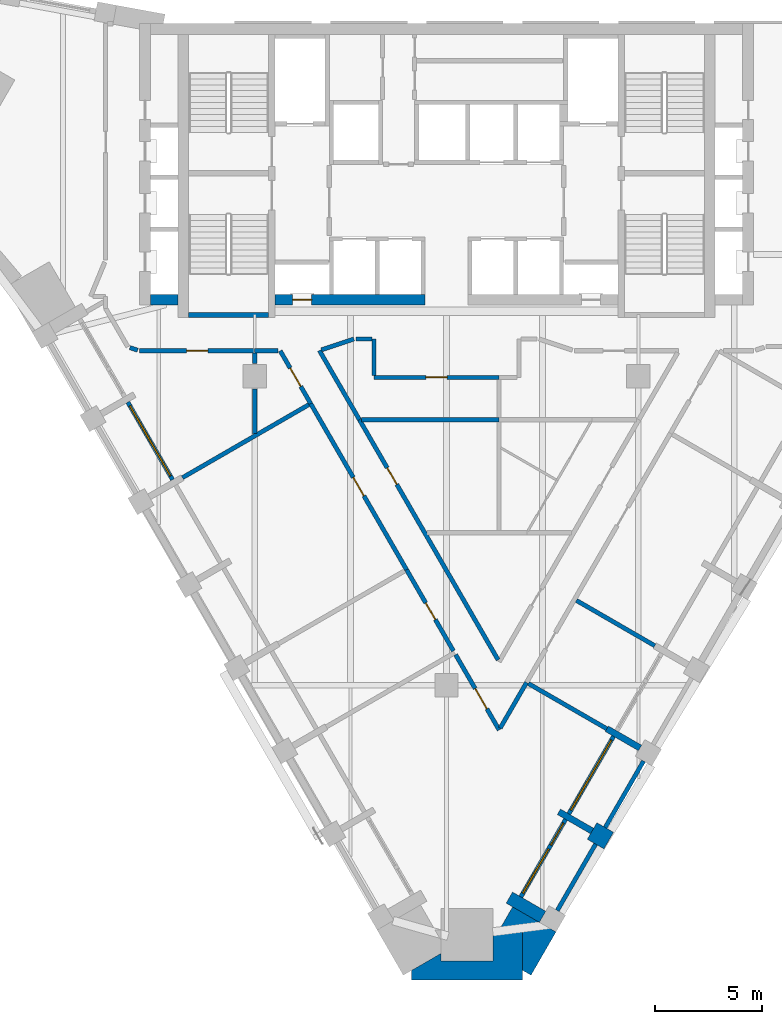
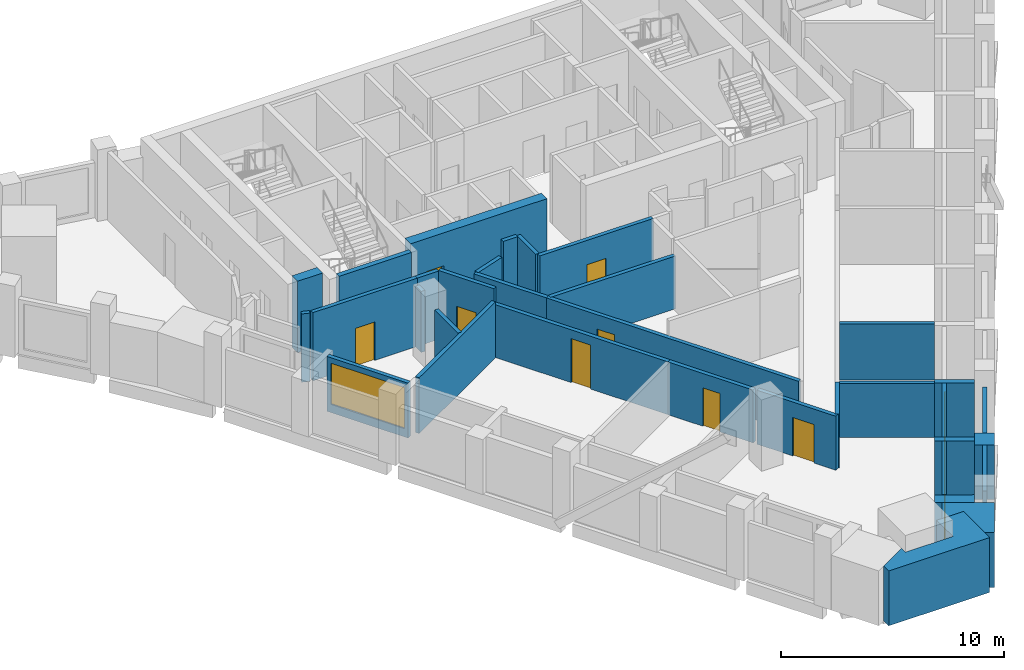
# One storey, part 3 of 9: 34 walls, 9 doors, 3 windows, 12 openings.
"""IFC4 building model written with IfcOpenShell, lengths in metres."""

from ifc_helpers import new_model, si_unit, direction, frame, frame_2d, origin, place, context, subcontext, project, spatial, polyline, rectangle, outline, extrude, material, layer, layer_set, type_object, element, fill, save


model = new_model("IFC4")

# Units and contexts
model_context = context("Model", 3, precision=1e-05, world=origin(), true_north=direction((0.0, 1.0)))
body_context = subcontext(model_context, "Body", "Model", "MODEL_VIEW")
ifc_project = project(units=[si_unit("LENGTHUNIT", "METRE"), si_unit("AREAUNIT", "SQUARE_METRE"), si_unit("VOLUMEUNIT", "CUBIC_METRE"), si_unit("PLANEANGLEUNIT", "RADIAN"), si_unit("MASSUNIT", "GRAM", prefix="KILO")], contexts=[model_context])

# Site, building, storey
site_placement = place(None, origin())
site = spatial("IfcSite", under=ifc_project, at=site_placement, CompositionType="ELEMENT")
building_placement = place(site_placement, origin())
building = spatial("IfcBuilding", under=site, at=building_placement, Name="Calabash Gate Tower", CompositionType="ELEMENT")
storey_placement = place(building_placement, frame((0.0, 0.0, 212.0)))
storey = spatial("IfcBuildingStorey", under=building, at=storey_placement, Name="L50", CompositionType="ELEMENT", Elevation=212.0)

# Walls
ifc_material_1 = material(Name="Terracotta brick masonry, exposed face", Category="masonry")
ifc_layer_1 = layer(ifc_material_1, 2.35009765625)
ifc_layer_set_1 = layer_set([ifc_layer_1], Name="Brick corner mass wall 2350")
wall_type_1 = type_object("IfcWallType", Name="Brick corner mass wall 2350", PredefinedType="SOLIDWALL", material=ifc_layer_set_1)
wall_1_placement = place(storey_placement, origin())
element("IfcWall", 1, at=wall_1_placement, inside=storey, type_object=wall_type_1, Name="Brick corner pier S14 2ba", PredefinedType="SOLIDWALL", context=body_context, shape_type="SweptSolid", body=[
    extrude(outline(polyline([(2.193115234375, -23.4775390625), (2.193115234375, -24.931884765625), (-0.257080078125, -24.931884765625), (-0.257080078125, -24.57958984375), (-1.63916015625, -25.377685546875), (-1.63916015625, -25.82763671875), (3.575439453125, -25.82763671875), (3.575439453125, -23.4775390625), (2.193115234375, -23.4775390625)])), origin(), (0.0, 0.0, 1.0), 3.0),
])
wall_2_placement = place(storey_placement, origin())
element("IfcWall", 2, at=wall_2_placement, inside=storey, type_object=wall_type_1, Name="Brick corner pier S14 2c", PredefinedType="SOLIDWALL", context=body_context, shape_type="SweptSolid", body=[
    extrude(outline(polyline([(5.13720703125, -23.572265625), (3.10205078125, -22.397216796875), (2.478271484375, -23.4775390625), (3.575439453125, -23.4775390625), (3.575439453125, -25.377685546875), (3.965087890625, -25.6025390625), (5.13720703125, -23.572265625)])), origin(), (0.0, 0.0, 1.0), 3.0),
])
ifc_material_2 = material(Name="Terracotta brick masonry, exposed face", Category="masonry")
ifc_layer_2 = layer(ifc_material_2, 0.89990234375)
ifc_layer_set_2 = layer_set([ifc_layer_2], Name="Brick end wall 900")
wall_type_2 = type_object("IfcWallType", Name="Brick end wall 900", PredefinedType="SOLIDWALL", material=ifc_layer_set_2)
wall_3_placement = place(storey_placement, frame((7.6123046875, -19.285400390625, 0.0), z_axis=(0.0, 0.0, 1.0), x_axis=(-0.866081705922, 0.499902469156, 0.0)))
element("IfcWall", 3, at=wall_3_placement, inside=storey, type_object=wall_type_2, Name="Brick pier S14 SE2.1", PredefinedType="SOLIDWALL", context=body_context, shape_type="SweptSolid", body=[
    extrude(rectangle(XDim=0.900146484375, YDim=0.89990234375, at=frame_2d((0.4501953125, 0.0))), origin(), (0.0, 0.0, 1.0), 3.0),
])
ifc_material_3 = material(Name="Terracotta brick masonry, exposed face", Category="masonry")
ifc_layer_3 = layer(ifc_material_3, 0.300048828125)
ifc_layer_set_3 = layer_set([ifc_layer_3], Name="Brick loggia cheek wall 300")
wall_type_3 = type_object("IfcWallType", Name="Brick loggia cheek wall 300", PredefinedType="SOLIDWALL", material=ifc_layer_set_3)
wall_4_placement = place(storey_placement, frame((4.5078125, -22.8623046875, 0.0), z_axis=(0.0, 0.0, 1.0), x_axis=(-0.866047807691, 0.499961193289, 0.0)))
element("IfcWall", 4, at=wall_4_placement, inside=storey, type_object=wall_type_3, Name="Loggia cheek S14 SE2.0", PredefinedType="SOLIDWALL", context=body_context, shape_type="SweptSolid", body=[
    extrude(rectangle(XDim=1.800048828125, YDim=0.60009765625, at=frame_2d((0.89990234375, 0.0))), origin(), (0.0, 0.0, 1.0), 3.0),
])
for number, where, z_axis, x_axis, name in (
    (5, (6.832763671875, -18.83544921875, 0.0), (0.0, 0.0, 1.0), (-0.865989075817, 0.500062916607, 0.0), "Loggia cheek S14 SE2.1"),
    (6, (9.082763671875, -14.938232421875, 0.0), (0.0, 0.0, 1.0), (-0.866047807691, 0.499961193289, 0.0), "Loggia cheek S14 SE2.2"),
):
    element("IfcWall", number, at=place(storey_placement, frame(where, z_axis=z_axis, x_axis=x_axis)), inside=storey, type_object=wall_type_3, Name=name, PredefinedType="SOLIDWALL", context=body_context, shape_type="SweptSolid", body=[
        extrude(rectangle(XDim=1.800048828125, YDim=0.300048828125, at=frame_2d((0.89990234375, 0.0))), origin(), (0.0, 0.0, 1.0), 3.0),
    ])
ifc_material_4 = material(Name="Concrete C70/85", Category="concrete")
ifc_layer_4 = layer(ifc_material_4, 0.25)
ifc_layer_set_4 = layer_set([ifc_layer_4], Name="Core wall 250 Concrete C70/85")
wall_type_4 = type_object("IfcWallType", Name="Core wall 250 Concrete C70/85", PredefinedType="SHEAR", material=ifc_layer_set_4)
wall_5_placement = place(storey_placement, frame((-12.10009765625, 5.377685546875, 0.0), z_axis=(0.0, 0.0, 1.0), x_axis=(1.0, 0.0, 0.0)))
element("IfcWall", 7, at=wall_5_placement, inside=storey, type_object=wall_type_4, Name="Core wall Z4-SSW L50", PredefinedType="SHEAR", context=body_context, shape_type="SweptSolid", body=[
    extrude(rectangle(XDim=3.75, YDim=0.25, at=frame_2d((1.875, 0.0))), origin(), (0.0, 0.0, 1.0), 3.89990234375),
])

# Wall, opening, door
ifc_material_5 = material(Name="Concrete C70/85", Category="concrete")
ifc_layer_5 = layer(ifc_material_5, 0.5)
ifc_layer_set_5 = layer_set([ifc_layer_5], Name="Core wall 500 Concrete C70/85")
wall_type_5 = type_object("IfcWallType", Name="Core wall 500 Concrete C70/85", PredefinedType="SHEAR", material=ifc_layer_set_5)
wall_6_placement = place(storey_placement, frame((-8.050048828125, 6.1025390625, 0.0), z_axis=(0.0, 0.0, 1.0), x_axis=(1.0, 0.0, 0.0)))
wall_6 = element("IfcWall", 8, at=wall_6_placement, inside=storey, type_object=wall_type_5, Name="Core wall Z4-SA L50", PredefinedType="SHEAR", context=body_context, shape_type="SweptSolid", body=[
    extrude(rectangle(XDim=7.050048828125, YDim=0.5, at=frame_2d((3.52490234375, 0.0))), origin(), (0.0, 0.0, 1.0), 3.89990234375),
])
opening_1_placement = place(wall_6_placement, frame((0.824951171875, 0.0, 0.0)))
opening_1 = element("IfcOpeningElement", 9, at=opening_1_placement, cuts=wall_6, Name="Opening O6-016", PredefinedType="OPENING", context=body_context, shape_type="SweptSolid", body=[
    extrude(rectangle(XDim=0.89990234375, YDim=2.10009765625, at=frame_2d((0.449951171875, 1.050048828125))), frame((0.0, 0.260009765625, 0.0), z_axis=(0.0, -1.0, 0.0), x_axis=(1.0, 0.0, 0.0)), (0.0, 0.0, 1.0), 0.52001953125),
])
ifc_material_6 = material(Name="Steel fire door set with fire-resisting glazing", Category="steel")
door_type_1 = type_object("IfcDoorType", Name="Fire door D07 900x2100 FD90", OperationType="NOTDEFINED", PredefinedType="DOOR", material=ifc_material_6)
door_1_placement = place(opening_1_placement, origin())
door_1 = element("IfcDoor", 10, at=door_1_placement, inside=storey, type_object=door_type_1, Name="Electrical Riser W door", OperationType="SINGLE_SWING_LEFT", OverallHeight=2.10009765625, OverallWidth=0.89990234375, PredefinedType="DOOR", context=body_context, shape_type="SweptSolid", body=[
    extrude(rectangle(XDim=0.89990234375, YDim=2.10009765625, at=frame_2d((0.449951171875, 1.050048828125))), frame((0.0, 0.02490234375, 0.0), z_axis=(0.0, -1.0, 0.0), x_axis=(1.0, 0.0, 0.0)), (0.0, 0.0, 1.0), 0.050048828125),
])
fill(opening_1, door_1)

# Wall
wall_7_placement = place(storey_placement, frame((-12.60009765625, 6.1025390625, 0.0), z_axis=(0.0, 0.0, 1.0), x_axis=(-1.0, 0.0, 0.0)))
element("IfcWall", 11, at=wall_7_placement, inside=storey, type_object=wall_type_5, Name="Core wall Z4-SW L50", PredefinedType="SHEAR", context=body_context, shape_type="SweptSolid", body=[
    extrude(rectangle(XDim=1.2998046875, YDim=0.5, at=frame_2d((0.64990234375, 0.0))), origin(), (0.0, 0.0, 1.0), 3.89990234375),
])

# Wall, opening, door
ifc_material_7 = material(Name="Gypsum board on steel studs, mineral wool", Category="steel")
ifc_layer_6 = layer(ifc_material_7, 0.199951171875)
ifc_layer_set_6 = layer_set([ifc_layer_6], Name="Partition 200 gypsum board EI 60")
wall_type_6 = type_object("IfcWallType", Name="Partition 200 gypsum board EI 60", PredefinedType="PARTITIONING", material=ifc_layer_set_6)
wall_8_placement = place(storey_placement, frame((0.42578125, -10.558349609375, 0.0), z_axis=(0.0, 0.0, 1.0), x_axis=(0.500350308999, -0.865823058301, 0.0)))
wall_8 = element("IfcWall", 12, at=wall_8_placement, inside=storey, type_object=wall_type_6, Name="Partition", PredefinedType="PARTITIONING", context=body_context, shape_type="SweptSolid", body=[
    extrude(rectangle(XDim=4.08349609375, YDim=0.199951171875, at=frame_2d((2.041748046875, 0.0))), origin(), (0.0, 0.0, 1.0), 2.9501953125),
])
opening_2_placement = place(wall_8_placement, frame((1.841552734375, 0.0, 0.0)))
opening_2 = element("IfcOpeningElement", 13, at=opening_2_placement, cuts=wall_8, Name="Opening 49-51-015", PredefinedType="OPENING", context=body_context, shape_type="SweptSolid", body=[
    extrude(rectangle(XDim=1.10009765625, YDim=2.10009765625, at=frame_2d((0.550048828125, 1.050048828125))), frame((0.0, 0.10986328125, 0.0), z_axis=(0.0, -1.0, 0.0), x_axis=(1.0, 0.0, 0.0)), (0.0, 0.0, 1.0), 0.219970703125),
])
ifc_material_8 = material(Name="Steel fire door set with fire-resisting glazing", Category="steel")
door_type_2 = type_object("IfcDoorType", Name="GD3 Suite entrance door 1100x2100", OperationType="NOTDEFINED", PredefinedType="DOOR", material=ifc_material_8)
door_2_placement = place(opening_2_placement, origin())
door_2 = element("IfcDoor", 14, at=door_2_placement, inside=storey, type_object=door_type_2, Name="Suite entrance door", OperationType="SINGLE_SWING_LEFT", OverallHeight=2.10009765625, OverallWidth=1.10009765625, PredefinedType="DOOR", context=body_context, shape_type="SweptSolid", body=[
    extrude(rectangle(XDim=1.10009765625, YDim=2.10009765625, at=frame_2d((0.550048828125, 1.050048828125))), frame((0.0, 0.02490234375, 0.0), z_axis=(0.0, -1.0, 0.0), x_axis=(1.0, 0.0, 0.0)), (0.0, 0.0, 1.0), 0.050048828125),
])
fill(opening_2, door_2)

# Walls
wall_9_placement = place(storey_placement, frame((3.843017578125, -11.915283203125, 0.0), z_axis=(0.0, 0.0, 1.0), x_axis=(0.866177933903, -0.499735716973, 0.0)))
element("IfcWall", 15, at=wall_9_placement, inside=storey, type_object=wall_type_6, Name="Partition", PredefinedType="PARTITIONING", context=body_context, shape_type="SweptSolid", body=[
    extrude(rectangle(XDim=4.249267578125, YDim=0.199951171875, at=frame_2d((2.12451171875, 0.0))), origin(), (0.0, 0.0, 1.0), 2.9501953125),
])
wall_10_placement = place(storey_placement, frame((2.51904296875, -14.00732421875, 0.0), z_axis=(0.0, 0.0, 1.0), x_axis=(0.500678517204, 0.865633307128, 0.0)))
element("IfcWall", 16, at=wall_10_placement, inside=storey, type_object=wall_type_6, Name="Partition", PredefinedType="PARTITIONING", context=body_context, shape_type="SweptSolid", body=[
    extrude(rectangle(XDim=2.47509765625, YDim=0.199951171875, at=frame_2d((1.237548828125, 0.0))), origin(), (0.0, 0.0, 1.0), 2.9501953125),
])

# Wall, opening, door
wall_11_placement = place(storey_placement, frame((-1.873291015625, -6.575927734375, 0.0), z_axis=(0.0, 0.0, 1.0), x_axis=(0.499989943423, -0.866031209874, 0.0)))
wall_11 = element("IfcWall", 17, at=wall_11_placement, inside=storey, type_object=wall_type_6, Name="Partition", PredefinedType="PARTITIONING", context=body_context, shape_type="SweptSolid", body=[
    extrude(rectangle(XDim=4.39794921875, YDim=0.199951171875, at=frame_2d((2.198974609375, 0.0))), origin(), (0.0, 0.0, 1.0), 2.884033203125),
])
opening_3_placement = place(wall_11_placement, frame((1.798095703125, 0.0, 0.0)))
opening_3 = element("IfcOpeningElement", 18, at=opening_3_placement, cuts=wall_11, Name="Opening 49-51-002", PredefinedType="OPENING", context=body_context, shape_type="SweptSolid", body=[
    extrude(rectangle(XDim=0.89990234375, YDim=2.10009765625, at=frame_2d((0.449951171875, 1.050048828125))), frame((0.0, 0.10986328125, 0.0), z_axis=(0.0, -1.0, 0.0), x_axis=(1.0, 0.0, 0.0)), (0.0, 0.0, 1.0), 0.219970703125),
])
ifc_material_9 = material(Name="Steel fire door set with fire-resisting glazing", Category="steel")
door_type_3 = type_object("IfcDoorType", Name="SD3 Store door 900x2100", OperationType="NOTDEFINED", PredefinedType="DOOR", material=ifc_material_9)
door_3_placement = place(opening_3_placement, origin())
door_3 = element("IfcDoor", 19, at=door_3_placement, inside=storey, type_object=door_type_3, Name="Store door", OperationType="SINGLE_SWING_LEFT", OverallHeight=2.10009765625, OverallWidth=0.89990234375, PredefinedType="DOOR", context=body_context, shape_type="SweptSolid", body=[
    extrude(rectangle(XDim=0.89990234375, YDim=2.10009765625, at=frame_2d((0.449951171875, 1.050048828125))), frame((0.0, 0.02490234375, 0.0), z_axis=(0.0, -1.0, 0.0), x_axis=(1.0, 0.0, 0.0)), (0.0, 0.0, 1.0), 0.050048828125),
])
fill(opening_3, door_3)

# Wall
wall_12_placement = place(storey_placement, frame((6.094482421875, -8.014404296875, 0.0), z_axis=(0.0, 0.0, 1.0), x_axis=(0.865797051121, -0.50039531, 0.0)))
element("IfcWall", 20, at=wall_12_placement, inside=storey, type_object=wall_type_6, Name="Partition", PredefinedType="PARTITIONING", context=body_context, shape_type="SweptSolid", body=[
    extrude(rectangle(XDim=4.25, YDim=0.199951171875, at=frame_2d((2.125, 0.0))), origin(), (0.0, 0.0, 1.0), 3.052001953125),
])

# Wall, opening, door
wall_13_placement = place(storey_placement, frame((-6.374267578125, 1.219970703125, 0.0), z_axis=(0.0, 0.0, 1.0), x_axis=(0.5000018851, -0.866024315419, 0.0)))
wall_13 = element("IfcWall", 21, at=wall_13_placement, inside=storey, type_object=wall_type_6, Name="Partition", PredefinedType="PARTITIONING", context=body_context, shape_type="SweptSolid", body=[
    extrude(rectangle(XDim=9.0, YDim=0.199951171875, at=frame_2d((4.5, 0.0))), origin(), (0.0, 0.0, 1.0), 2.884033203125),
])
opening_4_placement = place(wall_13_placement, frame((4.0, 0.0, 0.0)))
opening_4 = element("IfcOpeningElement", 22, at=opening_4_placement, cuts=wall_13, Name="Opening 49-51-001", PredefinedType="OPENING", context=body_context, shape_type="SweptSolid", body=[
    extrude(rectangle(XDim=1.0, YDim=2.39990234375, at=frame_2d((0.5, 1.199951171875))), frame((0.0, 0.10986328125, 0.0), z_axis=(0.0, -1.0, 0.0), x_axis=(1.0, 0.0, 0.0)), (0.0, 0.0, 1.0), 0.219970703125),
])
ifc_material_10 = material(Name="Painted timber door", Category="wood")
door_type_4 = type_object("IfcDoorType", Name="OD2 Glazed office door 1000x2400", OperationType="NOTDEFINED", PredefinedType="DOOR", material=ifc_material_10)
door_4_placement = place(opening_4_placement, origin())
door_4 = element("IfcDoor", 23, at=door_4_placement, inside=storey, type_object=door_type_4, Name="Glazed office door", OperationType="SINGLE_SWING_RIGHT", OverallHeight=2.39990234375, OverallWidth=1.0, PredefinedType="DOOR", context=body_context, shape_type="SweptSolid", body=[
    extrude(rectangle(XDim=1.0, YDim=2.39990234375, at=frame_2d((0.5, 1.199951171875))), frame((0.0, 0.02490234375, 0.0), z_axis=(0.0, -1.0, 0.0), x_axis=(1.0, 0.0, 0.0)), (0.0, 0.0, 1.0), 0.050048828125),
])
fill(opening_4, door_4)

# Wall
wall_14_placement = place(storey_placement, frame((-12.3916015625, -2.253662109375, 0.0), z_axis=(0.0, 0.0, 1.0), x_axis=(0.86583110311, 0.50033638773, 0.0)))
element("IfcWall", 24, at=wall_14_placement, inside=storey, type_object=wall_type_6, Name="Partition", PredefinedType="PARTITIONING", context=body_context, shape_type="SweptSolid", body=[
    extrude(rectangle(XDim=6.849365234375, YDim=0.199951171875, at=frame_2d((3.4248046875, 0.0))), origin(), (0.0, 0.0, 1.0), 3.052001953125),
])

# Wall, opening, door
wall_15_placement = place(storey_placement, frame((-4.085693359375, 0.464111328125, 0.0), z_axis=(0.0, 0.0, 1.0), x_axis=(0.499999074482, -0.866025938132, 0.0)))
wall_15 = element("IfcWall", 25, at=wall_15_placement, inside=storey, type_object=wall_type_6, Name="Partition", PredefinedType="PARTITIONING", context=body_context, shape_type="SweptSolid", body=[
    extrude(rectangle(XDim=13.01318359375, YDim=0.199951171875, at=frame_2d((6.506591796875, 0.0))), origin(), (0.0, 0.0, 1.0), 2.884033203125),
])
opening_5_placement = place(wall_15_placement, frame((2.607421875, 0.0, 0.0)))
opening_5 = element("IfcOpeningElement", 26, at=opening_5_placement, cuts=wall_15, Name="Opening 49-51-008", PredefinedType="OPENING", context=body_context, shape_type="SweptSolid", body=[
    extrude(rectangle(XDim=0.89990234375, YDim=2.10009765625, at=frame_2d((0.449951171875, 1.050048828125))), frame((0.0, 0.10986328125, 0.0), z_axis=(0.0, -1.0, 0.0), x_axis=(1.0, 0.0, 0.0)), (0.0, 0.0, 1.0), 0.219970703125),
])
door_5_placement = place(opening_5_placement, origin())
door_5 = element("IfcDoor", 27, at=door_5_placement, inside=storey, type_object=door_type_3, Name="Store door", OperationType="SINGLE_SWING_LEFT", OverallHeight=2.10009765625, OverallWidth=0.89990234375, PredefinedType="DOOR", context=body_context, shape_type="SweptSolid", body=[
    extrude(rectangle(XDim=0.89990234375, YDim=2.10009765625, at=frame_2d((0.449951171875, 1.050048828125))), frame((0.0, 0.02490234375, 0.0), z_axis=(0.0, -1.0, 0.0), x_axis=(1.0, 0.0, 0.0)), (0.0, 0.0, 1.0), 0.050048828125),
])
fill(opening_5, door_5)

# Wall
wall_16_placement = place(storey_placement, frame((-3.98583984375, 0.464111328125, 0.0), z_axis=(0.0, 0.0, 1.0), x_axis=(1.0, 0.0, 0.0)))
element("IfcWall", 28, at=wall_16_placement, inside=storey, type_object=wall_type_6, Name="Partition", PredefinedType="PARTITIONING", context=body_context, shape_type="SweptSolid", body=[
    extrude(rectangle(XDim=6.45166015625, YDim=0.199951171875, at=frame_2d((3.225830078125, 0.0))), origin(), (0.0, 0.0, 1.0), 2.884033203125),
])

# Wall, opening, door
wall_17_placement = place(storey_placement, frame((-7.80419921875, 3.699462890625, 0.0), z_axis=(0.0, 0.0, 1.0), x_axis=(0.500020309772, -0.866013677614, 0.0)))
wall_17 = element("IfcWall", 29, at=wall_17_placement, inside=storey, type_object=wall_type_6, Name="Partition", PredefinedType="PARTITIONING", context=body_context, shape_type="SweptSolid", body=[
    extrude(rectangle(XDim=2.86181640625, YDim=0.199951171875, at=frame_2d((1.430908203125, 0.0))), origin(), (0.0, 0.0, 1.0), 3.72998046875),
])
opening_6_placement = place(wall_17_placement, frame((0.931884765625, 0.0, 0.0)))
opening_6 = element("IfcOpeningElement", 30, at=opening_6_placement, cuts=wall_17, Name="Opening 49-51-012", PredefinedType="OPENING", context=body_context, shape_type="SweptSolid", body=[
    extrude(rectangle(XDim=1.0, YDim=2.10009765625, at=frame_2d((0.5, 1.050048828125))), frame((0.0, 0.10986328125, 0.0), z_axis=(0.0, -1.0, 0.0), x_axis=(1.0, 0.0, 0.0)), (0.0, 0.0, 1.0), 0.219970703125),
])
ifc_material_11 = material(Name="Steel fire door set with fire-resisting glazing", Category="steel")
door_type_5 = type_object("IfcDoorType", Name="LD2 Meeting room door 1000x2100", OperationType="NOTDEFINED", PredefinedType="DOOR", material=ifc_material_11)
door_6_placement = place(opening_6_placement, origin())
door_6 = element("IfcDoor", 31, at=door_6_placement, inside=storey, type_object=door_type_5, Name="Meeting room door", OperationType="SINGLE_SWING_RIGHT", OverallHeight=2.10009765625, OverallWidth=1.0, PredefinedType="DOOR", context=body_context, shape_type="SweptSolid", body=[
    extrude(rectangle(XDim=1.0, YDim=2.10009765625, at=frame_2d((0.5, 1.050048828125))), frame((0.0, 0.02490234375, 0.0), z_axis=(0.0, -1.0, 0.0), x_axis=(1.0, 0.0, 0.0)), (0.0, 0.0, 1.0), 0.050048828125),
])
fill(opening_6, door_6)

# Wall
wall_18_placement = place(storey_placement, frame((-8.999755859375, 1.89990234375, 0.0), z_axis=(0.0, 0.0, 1.0), x_axis=(0.000816802528, -0.999999666417, 0.0)))
element("IfcWall", 32, at=wall_18_placement, inside=storey, type_object=wall_type_6, Name="Partition", PredefinedType="PARTITIONING", context=body_context, shape_type="SweptSolid", body=[
    extrude(rectangle(XDim=2.09228515625, YDim=0.199951171875, at=frame_2d((1.046142578125, 0.0))), origin(), (0.0, 0.0, 1.0), 3.052001953125),
])

# Wall, opening, door
wall_19_placement = place(storey_placement, frame((-3.400146484375, 2.452392578125, 0.0), z_axis=(0.0, 0.0, 1.0), x_axis=(0.999999957561, -0.000291338898, 0.0)))
wall_19 = element("IfcWall", 33, at=wall_19_placement, inside=storey, type_object=wall_type_6, Name="Partition", PredefinedType="PARTITIONING", context=body_context, shape_type="SweptSolid", body=[
    extrude(rectangle(XDim=5.865966796875, YDim=0.199951171875, at=frame_2d((2.93310546875, 0.0))), origin(), (0.0, 0.0, 1.0), 3.72998046875),
])
opening_7_placement = place(wall_19_placement, frame((2.432861328125, 0.0, 0.0)))
opening_7 = element("IfcOpeningElement", 34, at=opening_7_placement, cuts=wall_19, Name="Opening 49-51-006", PredefinedType="OPENING", context=body_context, shape_type="SweptSolid", body=[
    extrude(rectangle(XDim=1.0, YDim=2.39990234375, at=frame_2d((0.5, 1.199951171875))), frame((0.0, 0.10986328125, 0.0), z_axis=(0.0, -1.0, 0.0), x_axis=(1.0, 0.0, 0.0)), (0.0, 0.0, 1.0), 0.219970703125),
])
door_7_placement = place(opening_7_placement, origin())
door_7 = element("IfcDoor", 35, at=door_7_placement, inside=storey, type_object=door_type_4, Name="Glazed office door", OperationType="SINGLE_SWING_RIGHT", OverallHeight=2.39990234375, OverallWidth=1.0, PredefinedType="DOOR", context=body_context, shape_type="SweptSolid", body=[
    extrude(rectangle(XDim=1.0, YDim=2.39990234375, at=frame_2d((0.5, 1.199951171875))), frame((0.0, 0.02490234375, 0.0), z_axis=(0.0, -1.0, 0.0), x_axis=(1.0, 0.0, 0.0)), (0.0, 0.0, 1.0), 0.050048828125),
])
fill(opening_7, door_7)

# Walls
wall_20_placement = place(storey_placement, frame((-3.402099609375, 4.25048828125, 0.0), z_axis=(0.0, 0.0, 1.0), x_axis=(0.001150250857, -0.999999338461, 0.0)))
element("IfcWall", 36, at=wall_20_placement, inside=storey, type_object=wall_type_6, Name="Partition", PredefinedType="PARTITIONING", context=body_context, shape_type="SweptSolid", body=[
    extrude(rectangle(XDim=1.697998046875, YDim=0.199951171875, at=frame_2d((0.84912109375, 0.0))), origin(), (0.0, 0.0, 1.0), 3.72998046875),
])
wall_21_placement = place(storey_placement, frame((-8.999755859375, 3.10009765625, 0.0), z_axis=(0.0, 0.0, 1.0), x_axis=(0.00293253871, 0.999995700099, 0.0)))
element("IfcWall", 37, at=wall_21_placement, inside=storey, type_object=wall_type_6, Name="Partition", PredefinedType="PARTITIONING", context=body_context, shape_type="SweptSolid", body=[
    extrude(rectangle(XDim=0.49951171875, YDim=0.199951171875, at=frame_2d((0.249755859375, 0.0))), origin(), (0.0, 0.0, 1.0), 3.33154296875),
])

# Wall, opening, door
wall_22_placement = place(storey_placement, frame((-14.400146484375, 3.699462890625, 0.0), z_axis=(0.0, 0.0, 1.0), x_axis=(0.999999963209, -0.000271259993, 0.0)))
wall_22 = element("IfcWall", 38, at=wall_22_placement, inside=storey, type_object=wall_type_6, Name="Partition", PredefinedType="PARTITIONING", context=body_context, shape_type="SweptSolid", body=[
    extrude(rectangle(XDim=5.400146484375, YDim=0.199951171875, at=frame_2d((2.7001953125, 0.0))), origin(), (0.0, 0.0, 1.0), 3.72998046875),
])
opening_8_placement = place(wall_22_placement, frame((2.201171875, 0.0, 0.0)))
opening_8 = element("IfcOpeningElement", 39, at=opening_8_placement, cuts=wall_22, Name="Opening 49-51-011", PredefinedType="OPENING", context=body_context, shape_type="SweptSolid", body=[
    extrude(rectangle(XDim=1.0, YDim=2.10009765625, at=frame_2d((0.5, 1.050048828125))), frame((0.0, 0.10986328125, 0.0), z_axis=(0.0, -1.0, 0.0), x_axis=(1.0, 0.0, 0.0)), (0.0, 0.0, 1.0), 0.219970703125),
])
door_8_placement = place(opening_8_placement, origin())
door_8 = element("IfcDoor", 40, at=door_8_placement, inside=storey, type_object=door_type_5, Name="Meeting room door", OperationType="SINGLE_SWING_LEFT", OverallHeight=2.10009765625, OverallWidth=1.0, PredefinedType="DOOR", context=body_context, shape_type="SweptSolid", body=[
    extrude(rectangle(XDim=1.0, YDim=2.10009765625, at=frame_2d((0.5, 1.050048828125))), frame((0.0, 0.02490234375, 0.0), z_axis=(0.0, -1.0, 0.0), x_axis=(1.0, 0.0, 0.0)), (0.0, 0.0, 1.0), 0.050048828125),
])
fill(opening_8, door_8)

# Walls
wall_23_placement = place(storey_placement, frame((-8.999755859375, 3.697998046875, 0.0), z_axis=(0.0, 0.0, 1.0), x_axis=(0.999999105954, 0.001337195149, 0.0)))
element("IfcWall", 41, at=wall_23_placement, inside=storey, type_object=wall_type_6, Name="Partition", PredefinedType="PARTITIONING", context=body_context, shape_type="SweptSolid", body=[
    extrude(rectangle(XDim=1.095458984375, YDim=0.199951171875, at=frame_2d((0.5478515625, 0.0))), origin(), (0.0, 0.0, 1.0), 3.72998046875),
])
wall_24_placement = place(storey_placement, frame((-5.963134765625, 3.712158203125, 0.0), z_axis=(0.0, 0.0, 1.0), x_axis=(0.500417539209, -0.865784203166, 0.0)))
element("IfcWall", 42, at=wall_24_placement, inside=storey, type_object=wall_type_6, Name="Partition", PredefinedType="PARTITIONING", context=body_context, shape_type="SweptSolid", body=[
    extrude(rectangle(XDim=3.749267578125, YDim=0.199951171875, at=frame_2d((1.87451171875, 0.0))), origin(), (0.0, 0.0, 1.0), 2.884033203125),
])
wall_25_placement = place(storey_placement, frame((-14.859619140625, 3.852783203125, 0.0), z_axis=(0.0, 0.0, 1.0), x_axis=(0.948619741075, -0.316418373111, 0.0)))
element("IfcWall", 43, at=wall_25_placement, inside=storey, type_object=wall_type_6, Name="Partition", PredefinedType="PARTITIONING", context=body_context, shape_type="SweptSolid", body=[
    extrude(rectangle(XDim=0.38427734375, YDim=0.199951171875, at=frame_2d((0.192138671875, 0.0))), origin(), (0.0, 0.0, 1.0), 3.72998046875),
])
wall_26_placement = place(storey_placement, frame((-5.8681640625, 3.74365234375, 0.0), z_axis=(0.0, 0.0, 1.0), x_axis=(0.948652936785, 0.316318835242, 0.0)))
element("IfcWall", 44, at=wall_26_placement, inside=storey, type_object=wall_type_6, Name="Partition", PredefinedType="PARTITIONING", context=body_context, shape_type="SweptSolid", body=[
    extrude(rectangle(XDim=1.6083984375, YDim=0.199951171875, at=frame_2d((0.80419921875, 0.0))), origin(), (0.0, 0.0, 1.0), 2.884033203125),
])
wall_27_placement = place(storey_placement, frame((-4.2421875, 4.252197265625, 0.0), z_axis=(0.0, 0.0, 1.0), x_axis=(0.999998041999, -0.001978887946, 0.0)))
element("IfcWall", 45, at=wall_27_placement, inside=storey, type_object=wall_type_6, Name="Partition", PredefinedType="PARTITIONING", context=body_context, shape_type="SweptSolid", body=[
    extrude(rectangle(XDim=0.740234375, YDim=0.199951171875, at=frame_2d((0.3701171875, 0.0))), origin(), (0.0, 0.0, 1.0), 3.72998046875),
])
ifc_material_12 = material(Name="Terracotta brick masonry, perforated", Category="masonry")
ifc_layer_7 = layer(ifc_material_12, 0.199951171875)
ifc_layer_set_7 = layer_set([ifc_layer_7], Name="Terracotta jaali screen B")
wall_type_7 = type_object("IfcWallType", Name="Terracotta jaali screen B", PredefinedType="SOLIDWALL", material=ifc_layer_set_7)
wall_28_placement = place(storey_placement, origin())
element("IfcWall", 46, at=wall_28_placement, inside=storey, type_object=wall_type_7, Name="SCREEN B S14 SE2.1", PredefinedType="SOLIDWALL", context=body_context, shape_type="SweptSolid", body=[
    extrude(outline(polyline([(6.910888671875, -19.400146484375), (5.111328125, -22.517333984375), (5.284423828125, -22.6171875), (7.084228515625, -19.5), (6.910888671875, -19.400146484375)])), origin(), (0.0, 0.0, 1.0), 3.0),
])
wall_29_placement = place(storey_placement, frame((7.447509765625, -18.670654296875, 0.0), z_axis=(0.0, 0.0, 1.0), x_axis=(0.500012057535, 0.866018442252, 0.0)))
element("IfcWall", 47, at=wall_29_placement, inside=storey, type_object=wall_type_7, Name="SCREEN B S14 SE2.2", PredefinedType="SOLIDWALL", context=body_context, shape_type="SweptSolid", body=[
    extrude(rectangle(XDim=3.60009765625, YDim=0.199951171875, at=frame_2d((1.800048828125, 0.0))), origin(), (0.0, 0.0, 1.0), 3.0),
])

# Wall, opening, window
ifc_material_13 = material(Name="Aluminium framed window wall with insulated spandrel", Category="aluminium")
ifc_layer_8 = layer(ifc_material_13, 0.199951171875)
ifc_layer_set_8 = layer_set([ifc_layer_8], Name="Window wall 200")
wall_type_8 = type_object("IfcWallType", Name="Window wall 200", PredefinedType="ELEMENTEDWALL", material=ifc_layer_set_8)
wall_30_placement = place(storey_placement, frame((-14.956298828125, 1.2880859375, 0.0), z_axis=(0.0, 0.0, 1.0), x_axis=(0.500027713859, -0.866009402589, 0.0)))
wall_30 = element("IfcWall", 48, at=wall_30_placement, inside=storey, type_object=wall_type_8, Name="Window wall S14 SW0.2", PredefinedType="ELEMENTEDWALL", context=body_context, shape_type="SweptSolid", body=[
    extrude(rectangle(XDim=4.199951171875, YDim=0.199951171875, at=frame_2d((2.10009765625, 0.0))), origin(), (0.0, 0.0, 1.0), 3.0),
])
opening_9_placement = place(wall_30_placement, frame((0.199951171875, 0.0, 0.449951171875)))
opening_9 = element("IfcOpeningElement", 49, at=opening_9_placement, cuts=wall_30, Name="Opening OW2", PredefinedType="OPENING", context=body_context, shape_type="SweptSolid", body=[
    extrude(rectangle(XDim=3.800048828125, YDim=2.25, at=frame_2d((1.89990234375, 1.125))), frame((0.0, 0.10986328125, 0.0), z_axis=(0.0, -1.0, 0.0), x_axis=(1.0, 0.0, 0.0)), (0.0, 0.0, 1.0), 0.219970703125),
])
ifc_material_14 = material(Name="Anodised aluminium frame, bronze finish, impact-rated laminated clear glazing", Category="aluminium")
window_type_1 = type_object("IfcWindowType", Name="Window OW2 3800x2250", PartitioningType="TRIPLE_PANEL_VERTICAL", PredefinedType="WINDOW", material=ifc_material_14)
window_1_placement = place(opening_9_placement, origin())
window_1 = element("IfcWindow", 50, at=window_1_placement, inside=storey, type_object=window_type_1, Name="Window OW2 S14 SW0.2", OverallHeight=2.25, OverallWidth=3.800048828125, PartitioningType="SINGLE_PANEL", PredefinedType="WINDOW", context=body_context, shape_type="SweptSolid", body=[
    extrude(rectangle(XDim=3.800048828125, YDim=2.25, at=frame_2d((1.89990234375, 1.125))), frame((0.0, 0.030029296875, 0.0), z_axis=(0.0, -1.0, 0.0), x_axis=(1.0, 0.0, 0.0)), (0.0, 0.0, 1.0), 0.06005859375),
])
fill(opening_9, window_1)

# Wall, openings, door, window
wall_31_placement = place(storey_placement, frame((3.48876953125, -21.927490234375, 0.0), z_axis=(0.0, 0.0, 1.0), x_axis=(0.500027713859, 0.866009402589, 0.0)))
wall_31 = element("IfcWall", 51, at=wall_31_placement, inside=storey, type_object=wall_type_8, Name="Window wall S14 SE2.1", PredefinedType="ELEMENTEDWALL", context=body_context, shape_type="SweptSolid", body=[
    extrude(rectangle(XDim=4.199951171875, YDim=0.199951171875, at=frame_2d((2.10009765625, 0.0))), origin(), (0.0, 0.0, 1.0), 3.0),
])
opening_10_placement = place(wall_31_placement, frame((0.199951171875, 0.0, 0.449951171875)))
opening_10 = element("IfcOpeningElement", 52, at=opening_10_placement, cuts=wall_31, Name="Opening OW1", PredefinedType="OPENING", context=body_context, shape_type="SweptSolid", body=[
    extrude(rectangle(XDim=2.39990234375, YDim=2.25, at=frame_2d((1.199951171875, 1.125))), frame((0.0, 0.10986328125, 0.0), z_axis=(0.0, -1.0, 0.0), x_axis=(1.0, 0.0, 0.0)), (0.0, 0.0, 1.0), 0.219970703125),
])
opening_11_placement = place(wall_31_placement, frame((2.800048828125, 0.0, 0.0)))
opening_11 = element("IfcOpeningElement", 53, at=opening_11_placement, cuts=wall_31, Name="Opening O6-022", PredefinedType="OPENING", context=body_context, shape_type="SweptSolid", body=[
    extrude(rectangle(XDim=1.199951171875, YDim=2.699951171875, at=frame_2d((0.60009765625, 1.35009765625))), frame((0.0, 0.10986328125, 0.0), z_axis=(0.0, -1.0, 0.0), x_axis=(1.0, 0.0, 0.0)), (0.0, 0.0, 1.0), 0.219970703125),
])
ifc_material_15 = material(Name="Anodised aluminium frame, bronze finish, impact-rated laminated clear glazing", Category="aluminium")
door_type_6 = type_object("IfcDoorType", Name="Loggia door DO1 1200x2700", OperationType="SLIDING_TO_LEFT", PredefinedType="DOOR", material=ifc_material_15)
door_9_placement = place(opening_11_placement, origin())
door_9 = element("IfcDoor", 54, at=door_9_placement, inside=storey, type_object=door_type_6, Name="Loggia door S14 SE2.1", OperationType="SINGLE_SWING_LEFT", OverallHeight=2.699951171875, OverallWidth=1.199951171875, PredefinedType="DOOR", context=body_context, shape_type="SweptSolid", body=[
    extrude(rectangle(XDim=1.199951171875, YDim=2.699951171875, at=frame_2d((0.60009765625, 1.35009765625))), frame((0.0, 0.02490234375, 0.0), z_axis=(0.0, -1.0, 0.0), x_axis=(1.0, 0.0, 0.0)), (0.0, 0.0, 1.0), 0.050048828125),
])
fill(opening_11, door_9)
ifc_material_16 = material(Name="Anodised aluminium frame, bronze finish, impact-rated laminated clear glazing", Category="aluminium")
window_type_2 = type_object("IfcWindowType", Name="Window OW1 2400x2250", PartitioningType="DOUBLE_PANEL_VERTICAL", PredefinedType="WINDOW", material=ifc_material_16)
window_2_placement = place(opening_10_placement, origin())
window_2 = element("IfcWindow", 55, at=window_2_placement, inside=storey, type_object=window_type_2, Name="Window OW1 S14 SE2.1", OverallHeight=2.25, OverallWidth=2.39990234375, PartitioningType="SINGLE_PANEL", PredefinedType="WINDOW", context=body_context, shape_type="SweptSolid", body=[
    extrude(rectangle(XDim=2.39990234375, YDim=2.25, at=frame_2d((1.199951171875, 1.125))), frame((0.0, 0.030029296875, 0.0), z_axis=(0.0, -1.0, 0.0), x_axis=(1.0, 0.0, 0.0)), (0.0, 0.0, 1.0), 0.06005859375),
])
fill(opening_10, window_2)

# Wall, opening, window
wall_32_placement = place(storey_placement, frame((5.73876953125, -18.030517578125, 0.0), z_axis=(0.0, 0.0, 1.0), x_axis=(0.500002543286, 0.866023935413, 0.0)))
wall_32 = element("IfcWall", 56, at=wall_32_placement, inside=storey, type_object=wall_type_8, Name="Window wall S14 SE2.2", PredefinedType="ELEMENTEDWALL", context=body_context, shape_type="SweptSolid", body=[
    extrude(rectangle(XDim=4.2001953125, YDim=0.199951171875, at=frame_2d((2.10009765625, 0.0))), origin(), (0.0, 0.0, 1.0), 3.0),
])
opening_12_placement = place(wall_32_placement, frame((0.199951171875, 0.0, 0.449951171875)))
opening_12 = element("IfcOpeningElement", 57, at=opening_12_placement, cuts=wall_32, Name="Opening OW2", PredefinedType="OPENING", context=body_context, shape_type="SweptSolid", body=[
    extrude(rectangle(XDim=3.800048828125, YDim=2.25, at=frame_2d((1.89990234375, 1.125))), frame((0.0, 0.10986328125, 0.0), z_axis=(0.0, -1.0, 0.0), x_axis=(1.0, 0.0, 0.0)), (0.0, 0.0, 1.0), 0.219970703125),
])
window_3_placement = place(opening_12_placement, origin())
window_3 = element("IfcWindow", 58, at=window_3_placement, inside=storey, type_object=window_type_1, Name="Window OW2 S14 SE2.2", OverallHeight=2.25, OverallWidth=3.800048828125, PartitioningType="SINGLE_PANEL", PredefinedType="WINDOW", context=body_context, shape_type="SweptSolid", body=[
    extrude(rectangle(XDim=3.800048828125, YDim=2.25, at=frame_2d((1.89990234375, 1.125))), frame((0.0, 0.030029296875, 0.0), z_axis=(0.0, -1.0, 0.0), x_axis=(1.0, 0.0, 0.0)), (0.0, 0.0, 1.0), 0.06005859375),
])
fill(opening_12, window_3)

save(model, "model.ifc")
